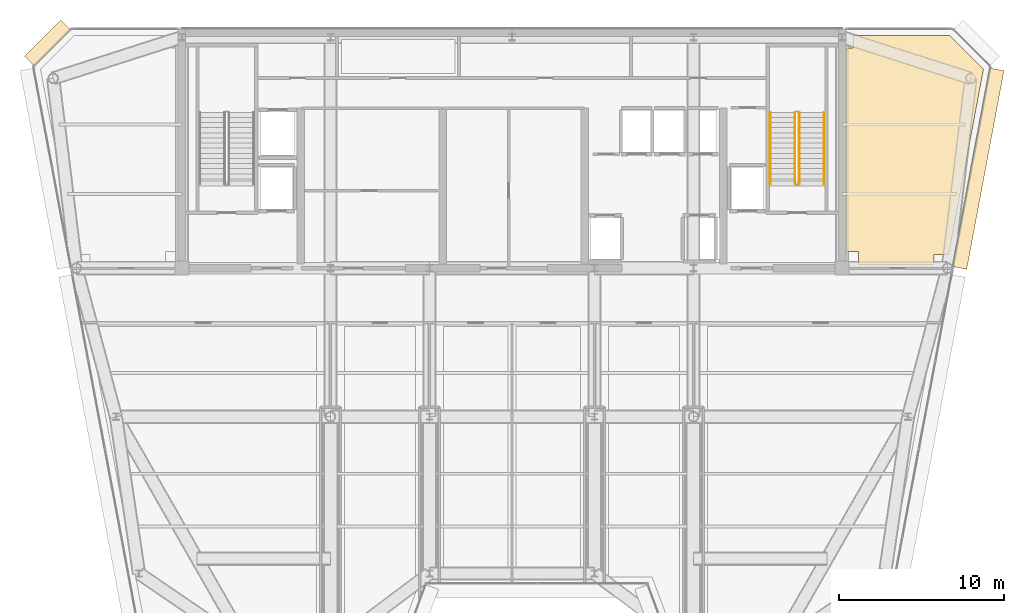
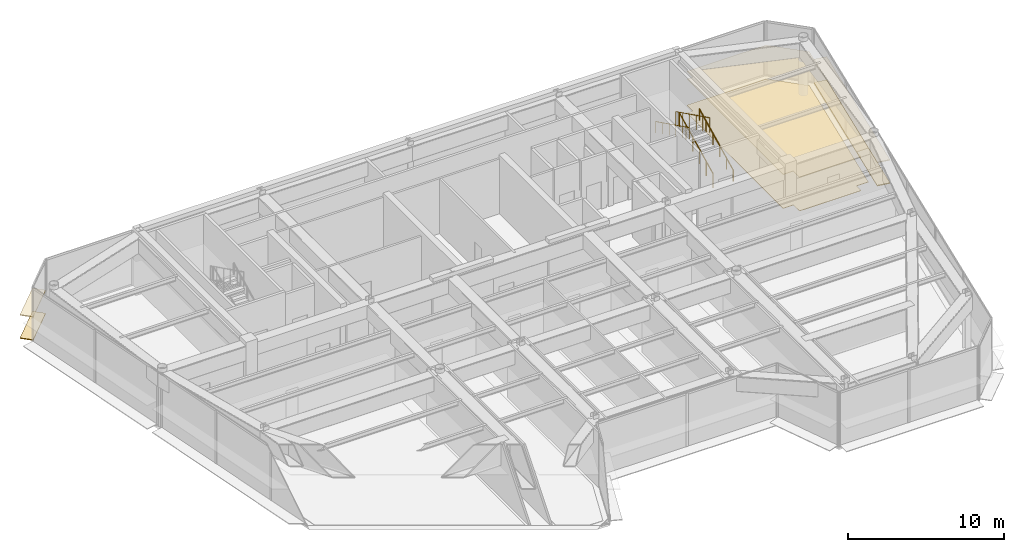
# One storey, part 17 of 20: 6 coverings, 4 railings.
"""IFC4 building model written with IfcOpenShell, lengths in metres."""

from ifc_helpers import new_model, si_unit, direction, frame, origin, origin_2d, place, context, subcontext, project, spatial, polyline, rectangle, circle, outline, extrude, source, transform, mapped, material, layer, layer_set, type_object, element, save


model = new_model("IFC4")

# Units and contexts
model_context = context("Model", 3, precision=1e-05, world=origin(), true_north=direction((0.0, 1.0)))
body_context = subcontext(model_context, "Body", "Model", "MODEL_VIEW")
ifc_project = project(units=[si_unit("LENGTHUNIT", "METRE"), si_unit("AREAUNIT", "SQUARE_METRE"), si_unit("VOLUMEUNIT", "CUBIC_METRE"), si_unit("PLANEANGLEUNIT", "RADIAN"), si_unit("MASSUNIT", "GRAM", prefix="KILO")], contexts=[model_context])

# Site, building, storey
site_placement = place(None, origin())
site = spatial("IfcSite", under=ifc_project, at=site_placement, CompositionType="ELEMENT")
building_placement = place(site_placement, origin())
building = spatial("IfcBuilding", under=site, at=building_placement, Name="Vaeldorn Concourse Tower", CompositionType="ELEMENT")
storey_placement = place(building_placement, frame((0.0, 0.0, 299.199951171875)))
storey = spatial("IfcBuildingStorey", under=building, at=storey_placement, Name="L77", CompositionType="ELEMENT", Elevation=299.199951171875)

# Coverings
ifc_material_1 = material(Name="Acoustic Mineral Fibre Board", Category="gypsum")
ifc_layer_1 = layer(ifc_material_1, 0.0400390625)
ifc_layer_set_1 = layer_set([ifc_layer_1], Name="Acoustic Mineral Fibre Board")
covering_type_1 = type_object("IfcCoveringType", Name="COV-CEIL-ACOUSTIC", PredefinedType="CEILING", material=ifc_layer_set_1)
covering_1_placement = place(storey_placement, frame((0.0, 0.0, 2.650146484375)))
element("IfcCovering", 1, at=covering_1_placement, inside=storey, type_object=covering_type_1, Name="Suspended Acoustic Ceiling L77-4", PredefinedType="CEILING", context=body_context, shape_type="SweptSolid", body=[
    extrude(outline(polyline([(54.659912109375, 49.840087890625), (54.659912109375, 50.60009765625), (60.5341796875, 50.60009765625), (62.568115234375, 48.56640625), (60.459716796875, 37.320068359375), (59.580078125, 37.320068359375), (59.580078125, 36.719970703125), (55.0, 36.719970703125), (55.0, 37.5), (54.239990234375, 37.5), (54.239990234375, 49.840087890625), (54.659912109375, 49.840087890625)])), origin(), (0.0, 0.0, 1.0), 0.039794921875),
])
ifc_material_2 = material(Name="Honed Limestone Terrazzo Flooring", Category="masonry")
ifc_layer_2 = layer(ifc_material_2, 0.0400390625)
ifc_layer_set_2 = layer_set([ifc_layer_2], Name="Honed Limestone Terrazzo Flooring")
covering_type_2 = type_object("IfcCoveringType", Name="COV-FLOOR-STONE", PredefinedType="FLOORING", material=ifc_layer_set_2)
covering_2_placement = place(storey_placement, origin())
element("IfcCovering", 2, at=covering_2_placement, inside=storey, type_object=covering_type_2, Name="Floor Finish Covering L77-4", PredefinedType="FLOORING", context=body_context, shape_type="SweptSolid", body=[
    extrude(outline(polyline([(54.659912109375, 49.840087890625), (54.659912109375, 50.60009765625), (60.5341796875, 50.60009765625), (62.568115234375, 48.56640625), (60.459716796875, 37.320068359375), (59.580078125, 37.320068359375), (59.580078125, 36.719970703125), (55.0, 36.719970703125), (55.0, 37.5), (54.239990234375, 37.5), (54.239990234375, 49.840087890625), (54.659912109375, 49.840087890625)])), origin(), (0.0, 0.0, 1.0), 0.030029296875),
])

# Railings
ifc_material_3 = material(Name="Anodised Bronze Aluminium", Category="aluminium")
railing_type_1 = type_object("IfcRailingType", Name="RL-STAIR-GUARD", PredefinedType="GUARDRAIL", material=ifc_material_3)
railing_1_placement = place(storey_placement, frame((51.39990234375, 41.60009765625, 0.1533203125)))
element("IfcRailing", 3, at=railing_1_placement, inside=storey, type_object=railing_type_1, Name="L77 ST-2 stair guard 1", PredefinedType="GUARDRAIL", context=body_context, shape_type="SweptSolid", body=[
    extrude(circle(Radius=0.02392578125, at=origin_2d()), frame((0.0, 0.0, 1.1259765625), z_axis=(0.0, 0.896335089171, 0.443377274926), x_axis=(-1.0, 0.0, 0.0)), (0.0, 0.0, 1.0), 4.841796875),
    extrude(circle(Radius=0.02099609375, at=origin_2d()), origin(), (0.0, 0.0, 1.0), 1.101806640625),
    extrude(circle(Radius=0.02099609375, at=origin_2d()), frame((0.0, 0.867919921875, 0.429443359375)), (0.0, 0.0, 1.0), 1.101806640625),
    extrude(circle(Radius=0.02099609375, at=origin_2d()), frame((0.0, 1.73583984375, 0.858642578125)), (0.0, 0.0, 1.0), 1.101806640625),
    extrude(circle(Radius=0.02099609375, at=origin_2d()), frame((0.0, 2.60400390625, 1.2880859375)), (0.0, 0.0, 1.0), 1.101806640625),
    extrude(circle(Radius=0.02099609375, at=origin_2d()), frame((0.0, 3.471923828125, 1.71728515625)), (0.0, 0.0, 1.0), 1.101806640625),
    extrude(circle(Radius=0.02099609375, at=origin_2d()), frame((0.0, 4.33984375, 2.146728515625)), (0.0, 0.0, 1.0), 1.101806640625),
])
railing_2_placement = place(storey_placement, frame((51.14990234375, 45.93994140625, 2.453369140625)))
element("IfcRailing", 4, at=railing_2_placement, inside=storey, type_object=railing_type_1, Name="L77 ST-2 stair guard 3", PredefinedType="GUARDRAIL", context=body_context, shape_type="SweptSolid", body=[
    extrude(circle(Radius=0.02392578125, at=origin_2d()), frame((0.0, 0.0, 1.1259765625), z_axis=(0.0, -0.896335089171, 0.443377274926), x_axis=(1.0, 0.0, 0.0)), (0.0, 0.0, 1.0), 4.841796875),
    extrude(circle(Radius=0.02099609375, at=origin_2d()), origin(), (0.0, 0.0, 1.0), 1.101806640625),
    extrude(circle(Radius=0.02099609375, at=origin_2d()), frame((0.0, -0.867919921875, 0.429443359375)), (0.0, 0.0, 1.0), 1.101806640625),
    extrude(circle(Radius=0.02099609375, at=origin_2d()), frame((0.0, -1.73583984375, 0.858642578125)), (0.0, 0.0, 1.0), 1.101806640625),
    extrude(circle(Radius=0.02099609375, at=origin_2d()), frame((0.0, -2.60400390625, 1.2880859375)), (0.0, 0.0, 1.0), 1.101806640625),
    extrude(circle(Radius=0.02099609375, at=origin_2d()), frame((0.0, -3.471923828125, 1.71728515625)), (0.0, 0.0, 1.0), 1.101806640625),
    extrude(circle(Radius=0.02099609375, at=origin_2d()), frame((0.0, -4.33984375, 2.146728515625)), (0.0, 0.0, 1.0), 1.101806640625),
])
railing_type_2 = type_object("IfcRailingType", Name="RL-STAIR-HANDRAIL", PredefinedType="HANDRAIL", material=ifc_material_3)
railing_3_placement = place(storey_placement, frame((52.89990234375, 41.60009765625, 0.1533203125)))
element("IfcRailing", 5, at=railing_3_placement, inside=storey, type_object=railing_type_2, Name="L77 ST-2 stair handrail 1", PredefinedType="HANDRAIL", context=body_context, shape_type="SweptSolid", body=[
    extrude(circle(Radius=0.02392578125, at=origin_2d()), frame((0.0, 0.0, 0.8759765625), z_axis=(0.0, 0.896335089171, 0.443377274926), x_axis=(-1.0, 0.0, 0.0)), (0.0, 0.0, 1.0), 4.841796875),
    extrude(circle(Radius=0.02099609375, at=origin_2d()), origin(), (0.0, 0.0, 1.0), 0.851806640625),
    extrude(circle(Radius=0.02099609375, at=origin_2d()), frame((0.0, 0.867919921875, 0.429443359375)), (0.0, 0.0, 1.0), 0.851806640625),
    extrude(circle(Radius=0.02099609375, at=origin_2d()), frame((0.0, 1.73583984375, 0.858642578125)), (0.0, 0.0, 1.0), 0.851806640625),
    extrude(circle(Radius=0.02099609375, at=origin_2d()), frame((0.0, 2.60400390625, 1.2880859375)), (0.0, 0.0, 1.0), 0.851806640625),
    extrude(circle(Radius=0.02099609375, at=origin_2d()), frame((0.0, 3.471923828125, 1.71728515625)), (0.0, 0.0, 1.0), 0.851806640625),
    extrude(circle(Radius=0.02099609375, at=origin_2d()), frame((0.0, 4.33984375, 2.146728515625)), (0.0, 0.0, 1.0), 0.851806640625),
])
railing_4_placement = place(storey_placement, frame((49.64990234375, 45.93994140625, 2.453369140625)))
element("IfcRailing", 6, at=railing_4_placement, inside=storey, type_object=railing_type_2, Name="L77 ST-2 stair handrail 2", PredefinedType="HANDRAIL", context=body_context, shape_type="SweptSolid", body=[
    extrude(circle(Radius=0.02392578125, at=origin_2d()), frame((0.0, 0.0, 0.8759765625), z_axis=(0.0, -0.896335089171, 0.443377274926), x_axis=(1.0, 0.0, 0.0)), (0.0, 0.0, 1.0), 4.841796875),
    extrude(circle(Radius=0.02099609375, at=origin_2d()), origin(), (0.0, 0.0, 1.0), 0.851806640625),
    extrude(circle(Radius=0.02099609375, at=origin_2d()), frame((0.0, -0.867919921875, 0.429443359375)), (0.0, 0.0, 1.0), 0.851806640625),
    extrude(circle(Radius=0.02099609375, at=origin_2d()), frame((0.0, -1.73583984375, 0.858642578125)), (0.0, 0.0, 1.0), 0.851806640625),
    extrude(circle(Radius=0.02099609375, at=origin_2d()), frame((0.0, -2.60400390625, 1.2880859375)), (0.0, 0.0, 1.0), 0.851806640625),
    extrude(circle(Radius=0.02099609375, at=origin_2d()), frame((0.0, -3.471923828125, 1.71728515625)), (0.0, 0.0, 1.0), 0.851806640625),
    extrude(circle(Radius=0.02099609375, at=origin_2d()), frame((0.0, -4.33984375, 2.146728515625)), (0.0, 0.0, 1.0), 0.851806640625),
])

# Coverings
ifc_layer_3 = layer(ifc_material_3, 0.06494140625)
ifc_layer_set_3 = layer_set([ifc_layer_3], Name="Anodised Bronze Aluminium")
covering_type_3 = type_object("IfcCoveringType", Name="SD-BRONZE-SUNSHADE", PredefinedType="USERDEFINED", material=ifc_layer_set_3)
shared_shape_1 = source(origin(), body_context, "Body", "SweptSolid", [
    extrude(rectangle(XDim=3.0927734375, YDim=0.8798828125, at=origin_2d()), origin(), (0.0, 0.0, 1.0), 0.06494140625),
])
for number, where, z_axis, x_axis, name in (
    (7, (5.8671875, 50.1328125, 0.047607421875), (0.0, 0.0, 1.0), (-0.707106781187, -0.707106781187, 0.0), "Horizontal Bronze Sunshade L77-E10.1.1"),
    (8, (5.8671875, 50.1328125, 1.86767578125), (0.0, 0.0, 1.0), (-0.707106781187, -0.707106781187, 0.0), "Horizontal Bronze Sunshade L77-E10.1.2"),
):
    element("IfcCovering", number, at=place(storey_placement, frame(where, z_axis=z_axis, x_axis=x_axis)), inside=storey, type_object=covering_type_3, Name=name, ObjectType="SUNSHADE", PredefinedType="USERDEFINED", context=body_context, shape_type="MappedRepresentation", body=[
        mapped(shared_shape_1, transform((0.0, 0.0, 0.0), scale=1.0)),
    ])
shared_shape_2 = source(origin(), body_context, "Body", "SweptSolid", [
    extrude(rectangle(XDim=12.241943359375, YDim=0.8798828125, at=origin_2d()), origin(), (0.0, 0.0, 1.0), 0.06494140625),
])
for number, where, z_axis, x_axis, name in (
    (9, (62.250732421875, 42.531494140625, 0.047607421875), (0.0, 0.0, 1.0), (0.1842429853, 0.98288072642, 0.0), "Horizontal Bronze Sunshade L77-E07.2.1"),
    (10, (62.250732421875, 42.531494140625, 1.86767578125), (0.0, 0.0, 1.0), (0.1842429853, 0.98288072642, 0.0), "Horizontal Bronze Sunshade L77-E07.2.2"),
):
    element("IfcCovering", number, at=place(storey_placement, frame(where, z_axis=z_axis, x_axis=x_axis)), inside=storey, type_object=covering_type_3, Name=name, ObjectType="SUNSHADE", PredefinedType="USERDEFINED", context=body_context, shape_type="MappedRepresentation", body=[
        mapped(shared_shape_2, transform((0.0, 0.0, 0.0), scale=1.0)),
    ])

save(model, "model.ifc")
